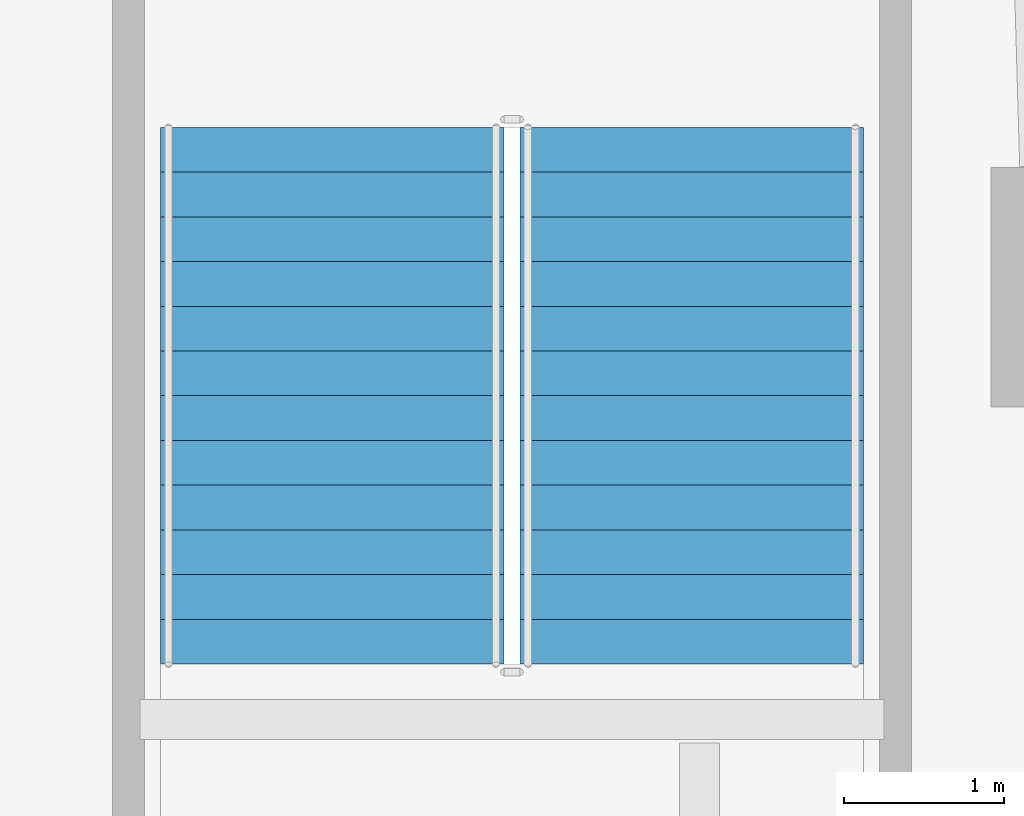
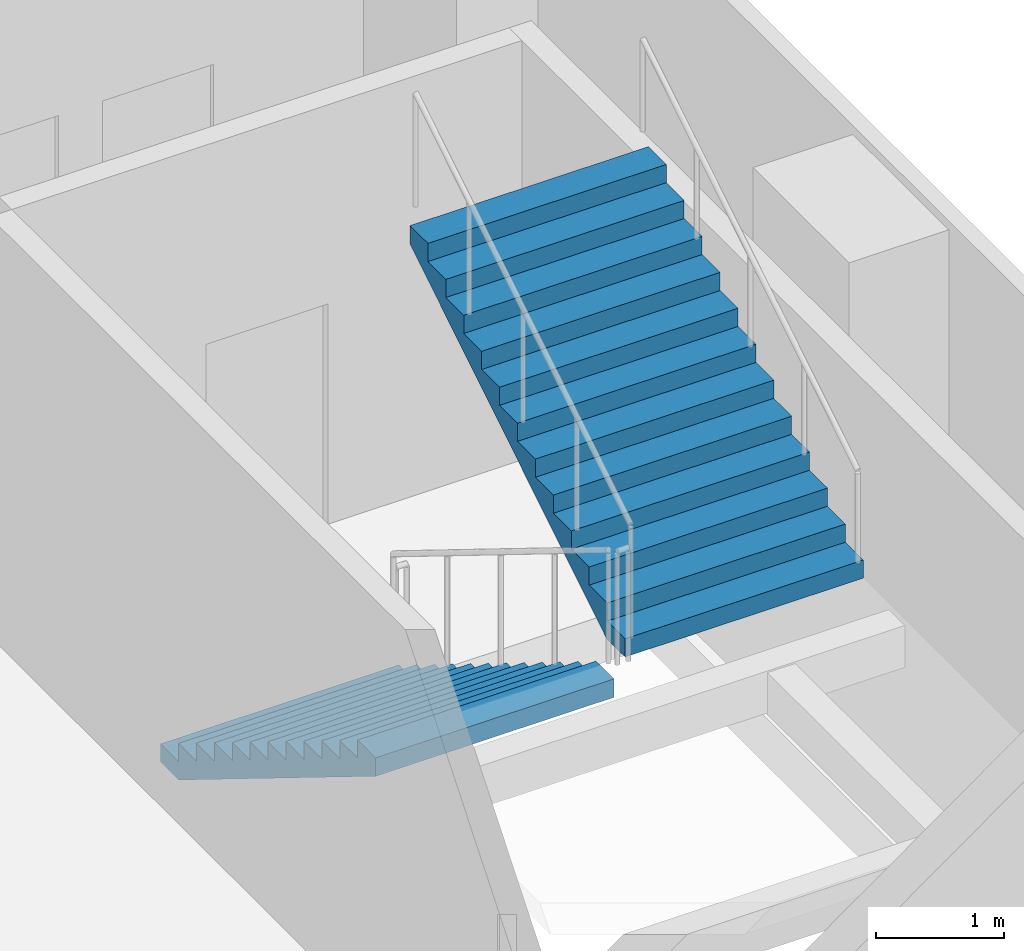
# One storey, part 12 of 20: 2 stair flights, 1 element without a shape of its own.
"""IFC4 building model written with IfcOpenShell, lengths in metres."""

from ifc_helpers import new_model, si_unit, direction, frame, origin, place, context, subcontext, project, spatial, triangles, material, type_object, element, aggregate, save


model = new_model("IFC4")

# Units and contexts
model_context = context("Model", 3, precision=1e-05, world=origin(), true_north=direction((0.0, 1.0)))
body_context = subcontext(model_context, "Body", "Model", "MODEL_VIEW")
ifc_project = project(units=[si_unit("LENGTHUNIT", "METRE"), si_unit("AREAUNIT", "SQUARE_METRE"), si_unit("VOLUMEUNIT", "CUBIC_METRE"), si_unit("PLANEANGLEUNIT", "RADIAN"), si_unit("MASSUNIT", "GRAM", prefix="KILO")], contexts=[model_context])

# Site, building, storey
site_placement = place(None, origin())
site = spatial("IfcSite", under=ifc_project, at=site_placement, CompositionType="ELEMENT")
building_placement = place(site_placement, origin())
building = spatial("IfcBuilding", under=site, at=building_placement, Name="Verdalira Terraces Hotel", CompositionType="ELEMENT")
storey_placement = place(building_placement, frame((0.0, 0.0, 23.5)))
storey = spatial("IfcBuildingStorey", under=building, at=storey_placement, Name="L04", CompositionType="ELEMENT", Elevation=23.5)

# Stair, stair flights
ifc_material_1 = material(Name="Concrete C40", Category="concrete")
stair_type = type_object("IfcStairType", Name="Podium stair 26 risers", PredefinedType="HALF_TURN_STAIR", material=ifc_material_1)
stair_placement = place(storey_placement, origin())
stair = element("IfcStair", 1, at=stair_placement, inside=storey, type_object=stair_type, Name="L04 Exit stair PS4", PredefinedType="HALF_TURN_STAIR")
ifc_material_2 = material(Name="Concrete C40", Category="concrete")
stair_flight_type = type_object("IfcStairFlightType", Name="Podium stair flight 26 risers", PredefinedType="STRAIGHT", material=ifc_material_2)
stair_flight_1_placement = place(storey_placement, frame((19.033447, 1.0, 0.0), z_axis=(0.0, 0.0, 1.0), x_axis=(0.0, -1.0, 0.0)))
stair_flight_1 = element("IfcStairFlight", 2, at=stair_flight_1_placement, type_object=stair_flight_type, Name="PS4 flight 1", NumberOfRisers=13, NumberOfTreads=12, PredefinedType="STRAIGHT", RiserHeight=0.173076923, TreadLength=0.28, context=body_context, shape_type="Tessellation", body=[
    triangles([(0.0, 1.074951, 0.0), (0.285156, 1.074951, 0.0), (3.360107, 1.074951, 1.900635), (0.0, -1.074951, 0.0), (0.285156, -1.074951, 0.0), (3.360107, -1.074951, 1.900635), (3.360107, 1.074951, 2.076904), (3.080078, 1.074951, 2.076904), (3.360107, -1.074951, 2.076904), (3.080078, -1.074951, 2.076904), (3.080078, 1.074951, 1.903809), (3.080078, -1.074951, 1.903809), (2.800049, 1.074951, 1.903809), (2.800049, -1.074951, 1.903809), (2.800049, 1.074951, 1.730713), (2.800049, -1.074951, 1.730713), (2.52002, 1.074951, 1.730713), (2.52002, 1.074951, 1.557617), (2.52002, -1.074951, 1.730713), (2.52002, -1.074951, 1.557617), (2.23999, 1.074951, 1.557617), (2.23999, 1.074951, 1.384521), (2.23999, -1.074951, 1.557617), (2.23999, -1.074951, 1.384521), (1.959961, 1.074951, 1.384521), (1.959961, 1.074951, 1.211426), (1.959961, -1.074951, 1.384521), (1.959961, -1.074951, 1.211426), (1.679932, 1.074951, 1.211426), (1.679932, 1.074951, 1.038574), (1.679932, -1.074951, 1.211426), (1.679932, -1.074951, 1.038574), (1.399902, 1.074951, 1.038574), (1.399902, 1.074951, 0.865479), (1.399902, -1.074951, 1.038574), (1.399902, -1.074951, 0.865479), (1.120117, 1.074951, 0.865479), (1.120117, 1.074951, 0.692383), (1.120117, -1.074951, 0.865479), (1.120117, -1.074951, 0.692383), (0.840088, 1.074951, 0.692383), (0.840088, 1.074951, 0.519287), (0.840088, -1.074951, 0.692383), (0.840088, -1.074951, 0.519287), (0.560059, 1.074951, 0.519287), (0.560059, 1.074951, 0.346191), (0.560059, -1.074951, 0.519287), (0.560059, -1.074951, 0.346191), (0.280029, 1.074951, 0.346191), (0.280029, 1.074951, 0.173096), (0.280029, -1.074951, 0.346191), (0.280029, -1.074951, 0.173096), (0.0, 1.074951, 0.173096), (0.0, -1.074951, 0.173096), (0.0, -1.007767, 0.0), (0.0, -1.007767, 0.173096), (0.0, -0.940582, 0.0), (0.0, -0.940582, 0.173096), (0.0, -0.873398, 0.0), (0.0, -0.873398, 0.173096), (0.0, -0.806213, 0.0), (0.0, -0.806213, 0.173096), (0.0, -0.739029, 0.0), (0.0, -0.739029, 0.173096), (0.0, -0.671844, 0.0), (0.0, -0.671844, 0.173096), (0.0, -0.60466, 0.0), (0.0, -0.60466, 0.173096), (0.0, -0.537476, 0.0), (0.0, -0.537476, 0.173096), (0.0, -0.470291, 0.0), (0.0, -0.470291, 0.173096), (0.0, -0.403107, 0.0), (0.0, -0.403107, 0.173096), (0.0, -0.335922, 0.0), (0.0, -0.335922, 0.173096), (0.0, -0.268738, 0.0), (0.0, -0.268738, 0.173096), (0.0, -0.201553, 0.0), (0.0, -0.201553, 0.173096), (0.0, -0.134369, 0.0), (0.0, -0.134369, 0.173096), (0.0, -0.067184, 0.0), (0.0, -0.067184, 0.173096), (0.0, 0.0, 0.0), (0.0, 0.0, 0.173096), (0.0, 0.067184, 0.0), (0.0, 0.067184, 0.173096), (0.0, 0.134369, 0.0), (0.0, 0.134369, 0.173096), (0.0, 0.201553, 0.0), (0.0, 0.201553, 0.173096), (0.0, 0.268738, 0.0), (0.0, 0.268738, 0.173096), (0.0, 0.335922, 0.0), (0.0, 0.335922, 0.173096), (0.0, 0.403107, 0.0), (0.0, 0.403107, 0.173096), (0.0, 0.470291, 0.0), (0.0, 0.470291, 0.173096), (0.0, 0.537476, 0.0), (0.0, 0.537476, 0.173096), (0.0, 0.60466, 0.0), (0.0, 0.60466, 0.173096), (0.0, 0.671844, 0.0), (0.0, 0.671844, 0.173096), (0.0, 0.739029, 0.0), (0.0, 0.739029, 0.173096), (0.0, 0.806213, 0.0), (0.0, 0.806213, 0.173096), (0.0, 0.873398, 0.0), (0.0, 0.873398, 0.173096), (0.0, 0.940582, 0.0), (0.0, 0.940582, 0.173096), (0.0, 1.007767, 0.0), (0.0, 1.007767, 0.173096), (3.360107, -1.007767, 2.076904), (3.360107, -0.940582, 2.076904), (3.360107, -0.873398, 2.076904), (3.360107, -0.806213, 2.076904), (3.360107, -0.739029, 2.076904), (3.360107, -0.671844, 2.076904), (3.360107, -0.60466, 2.076904), (3.360107, -0.537476, 2.076904), (3.360107, -0.470291, 2.076904), (3.360107, -0.403107, 2.076904), (3.360107, -0.335922, 2.076904), (3.360107, -0.268738, 2.076904), (3.360107, -0.201553, 2.076904), (3.360107, -0.134369, 2.076904), (3.360107, -0.067184, 2.076904), (3.360107, 0.0, 2.076904), (3.360107, 0.067184, 2.076904), (3.360107, 0.134369, 2.076904), (3.360107, 0.201553, 2.076904), (3.360107, 0.268738, 2.076904), (3.360107, 0.335922, 2.076904), (3.360107, 0.403107, 2.076904), (3.360107, 0.470291, 2.076904), (3.360107, 0.537476, 2.076904), (3.360107, 0.60466, 2.076904), (3.360107, 0.671844, 2.076904), (3.360107, 0.739029, 2.076904), (3.360107, 0.806213, 2.076904), (3.360107, 0.873398, 2.076904), (3.360107, 0.940582, 2.076904), (3.360107, 1.007767, 2.076904), (3.360107, -1.007767, 1.900635), (3.360107, -0.940582, 1.900635), (3.360107, -0.873398, 1.900635), (3.360107, -0.806213, 1.900635), (3.360107, -0.739029, 1.900635), (3.360107, -0.671844, 1.900635), (3.360107, -0.60466, 1.900635), (3.360107, -0.537476, 1.900635), (3.360107, -0.470291, 1.900635), (3.360107, -0.403107, 1.900635), (3.360107, -0.335922, 1.900635), (3.360107, -0.268738, 1.900635), (3.360107, -0.201553, 1.900635), (3.360107, -0.134369, 1.900635), (3.360107, -0.067184, 1.900635), (3.360107, 0.0, 1.900635), (3.360107, 0.067184, 1.900635), (3.360107, 0.134369, 1.900635), (3.360107, 0.201553, 1.900635), (3.360107, 0.268738, 1.900635), (3.360107, 0.335922, 1.900635), (3.360107, 0.403107, 1.900635), (3.360107, 0.470291, 1.900635), (3.360107, 0.537476, 1.900635), (3.360107, 0.60466, 1.900635), (3.360107, 0.671844, 1.900635), (3.360107, 0.739029, 1.900635), (3.360107, 0.806213, 1.900635), (3.360107, 0.873398, 1.900635), (3.360107, 0.940582, 1.900635), (3.360107, 1.007767, 1.900635)], [[1, 3, 2], [4, 5, 6], [3, 8, 7], [6, 9, 10], [3, 11, 8], [6, 10, 12], [3, 13, 11], [6, 12, 14], [3, 15, 13], [6, 14, 16], [15, 18, 17], [16, 19, 20], [3, 18, 15], [6, 16, 20], [18, 22, 21], [20, 23, 24], [3, 22, 18], [6, 20, 24], [22, 26, 25], [24, 27, 28], [3, 26, 22], [6, 24, 28], [1, 26, 3], [4, 6, 28], [26, 30, 29], [28, 31, 32], [30, 34, 33], [32, 35, 36], [26, 34, 30], [28, 32, 36], [34, 38, 37], [36, 39, 40], [26, 38, 34], [28, 36, 40], [38, 42, 41], [40, 43, 44], [26, 42, 38], [28, 40, 44], [42, 46, 45], [44, 47, 48], [26, 46, 42], [28, 44, 48], [46, 50, 49], [48, 51, 52], [26, 50, 46], [28, 48, 52], [1, 50, 26], [4, 28, 52], [50, 1, 53], [52, 54, 4], [4, 56, 55], [4, 54, 56], [55, 58, 57], [55, 56, 58], [57, 60, 59], [57, 58, 60], [59, 62, 61], [59, 60, 62], [61, 64, 63], [61, 62, 64], [63, 66, 65], [63, 64, 66], [65, 68, 67], [65, 66, 68], [67, 70, 69], [67, 68, 70], [69, 72, 71], [69, 70, 72], [71, 74, 73], [71, 72, 74], [73, 76, 75], [73, 74, 76], [75, 78, 77], [75, 76, 78], [77, 80, 79], [77, 78, 80], [79, 82, 81], [79, 80, 82], [81, 84, 83], [81, 82, 84], [83, 86, 85], [83, 84, 86], [85, 88, 87], [85, 86, 88], [87, 90, 89], [87, 88, 90], [89, 92, 91], [89, 90, 92], [91, 94, 93], [91, 92, 94], [93, 96, 95], [93, 94, 96], [95, 98, 97], [95, 96, 98], [97, 100, 99], [97, 98, 100], [99, 102, 101], [99, 100, 102], [101, 104, 103], [101, 102, 104], [103, 106, 105], [103, 104, 106], [105, 108, 107], [105, 106, 108], [107, 110, 109], [107, 108, 110], [109, 112, 111], [109, 110, 112], [111, 114, 113], [111, 112, 114], [113, 116, 115], [113, 114, 116], [115, 53, 1], [115, 116, 53], [54, 52, 56], [56, 52, 58], [58, 52, 60], [60, 52, 62], [62, 52, 64], [64, 52, 66], [66, 52, 68], [68, 52, 70], [70, 52, 72], [72, 52, 74], [74, 52, 76], [76, 52, 78], [78, 52, 80], [80, 52, 82], [82, 52, 84], [84, 52, 86], [86, 52, 88], [88, 52, 90], [90, 52, 92], [92, 52, 94], [94, 52, 96], [96, 52, 98], [98, 52, 100], [100, 52, 102], [102, 52, 104], [104, 52, 106], [106, 52, 108], [108, 52, 110], [110, 52, 112], [112, 52, 114], [114, 52, 116], [116, 52, 53], [53, 52, 50], [52, 49, 50], [52, 51, 49], [51, 46, 49], [51, 48, 46], [48, 45, 46], [48, 47, 45], [47, 42, 45], [47, 44, 42], [44, 41, 42], [44, 43, 41], [43, 38, 41], [43, 40, 38], [40, 37, 38], [40, 39, 37], [39, 34, 37], [39, 36, 34], [36, 33, 34], [36, 35, 33], [35, 30, 33], [35, 32, 30], [32, 29, 30], [32, 31, 29], [31, 26, 29], [31, 28, 26], [28, 25, 26], [28, 27, 25], [27, 22, 25], [27, 24, 22], [24, 21, 22], [24, 23, 21], [23, 18, 21], [23, 20, 18], [20, 17, 18], [20, 19, 17], [19, 15, 17], [19, 16, 15], [16, 13, 15], [16, 14, 13], [14, 11, 13], [14, 12, 11], [12, 8, 11], [12, 10, 8], [9, 117, 10], [117, 118, 10], [118, 119, 10], [119, 120, 10], [120, 121, 10], [121, 122, 10], [122, 123, 10], [123, 124, 10], [124, 125, 10], [125, 126, 10], [126, 127, 10], [127, 128, 10], [128, 129, 10], [129, 130, 10], [130, 131, 10], [131, 132, 10], [132, 133, 10], [133, 134, 10], [134, 135, 10], [135, 136, 10], [136, 137, 10], [137, 138, 10], [138, 139, 10], [139, 140, 10], [140, 141, 10], [141, 142, 10], [142, 143, 10], [143, 144, 10], [144, 145, 10], [145, 146, 10], [146, 147, 10], [147, 7, 10], [7, 8, 10], [9, 148, 117], [9, 6, 148], [117, 149, 118], [117, 148, 149], [118, 150, 119], [118, 149, 150], [119, 151, 120], [119, 150, 151], [120, 152, 121], [120, 151, 152], [121, 153, 122], [121, 152, 153], [122, 154, 123], [122, 153, 154], [123, 155, 124], [123, 154, 155], [124, 156, 125], [124, 155, 156], [125, 157, 126], [125, 156, 157], [126, 158, 127], [126, 157, 158], [127, 159, 128], [127, 158, 159], [128, 160, 129], [128, 159, 160], [129, 161, 130], [129, 160, 161], [130, 162, 131], [130, 161, 162], [131, 163, 132], [131, 162, 163], [132, 164, 133], [132, 163, 164], [133, 165, 134], [133, 164, 165], [134, 166, 135], [134, 165, 166], [135, 167, 136], [135, 166, 167], [136, 168, 137], [136, 167, 168], [137, 169, 138], [137, 168, 169], [138, 170, 139], [138, 169, 170], [139, 171, 140], [139, 170, 171], [140, 172, 141], [140, 171, 172], [141, 173, 142], [141, 172, 173], [142, 174, 143], [142, 173, 174], [143, 175, 144], [143, 174, 175], [144, 176, 145], [144, 175, 176], [145, 177, 146], [145, 176, 177], [146, 178, 147], [146, 177, 178], [147, 3, 7], [147, 178, 3], [6, 5, 148], [148, 5, 149], [149, 5, 150], [150, 5, 151], [151, 5, 152], [152, 5, 153], [153, 5, 154], [154, 5, 155], [155, 5, 156], [156, 5, 157], [157, 5, 158], [158, 5, 159], [159, 5, 160], [160, 5, 161], [161, 5, 162], [162, 5, 163], [163, 5, 164], [164, 5, 165], [165, 5, 166], [166, 5, 167], [167, 5, 168], [168, 5, 169], [169, 5, 170], [170, 5, 171], [171, 5, 172], [172, 5, 173], [173, 5, 174], [174, 5, 175], [175, 5, 176], [176, 5, 177], [177, 5, 178], [178, 5, 3], [3, 5, 2], [4, 55, 5], [55, 57, 5], [57, 59, 5], [59, 61, 5], [61, 63, 5], [63, 65, 5], [65, 67, 5], [67, 69, 5], [69, 71, 5], [71, 73, 5], [73, 75, 5], [75, 77, 5], [77, 79, 5], [79, 81, 5], [81, 83, 5], [83, 85, 5], [85, 87, 5], [87, 89, 5], [89, 91, 5], [91, 93, 5], [93, 95, 5], [95, 97, 5], [97, 99, 5], [99, 101, 5], [101, 103, 5], [103, 105, 5], [105, 107, 5], [107, 109, 5], [109, 111, 5], [111, 113, 5], [113, 115, 5], [115, 1, 5], [1, 2, 5]], closed=True),
])
stair_flight_2_placement = place(storey_placement, frame((21.283447, -2.360107, 2.25), z_axis=(0.0, 0.0, 1.0), x_axis=(0.0, 1.0, 0.0)))
stair_flight_2 = element("IfcStairFlight", 3, at=stair_flight_2_placement, type_object=stair_flight_type, Name="PS4 flight 2", NumberOfRisers=13, NumberOfTreads=12, PredefinedType="STRAIGHT", RiserHeight=0.173076923, TreadLength=0.28, context=body_context, shape_type="Tessellation", body=[
    triangles([(0.0, 1.074951, 0.0), (0.285156, 1.074951, 0.0), (3.360107, 1.074951, 1.900635), (0.0, -1.074951, 0.0), (0.285156, -1.074951, 0.0), (3.360107, -1.074951, 1.900635), (3.360107, 1.074951, 2.076904), (3.080078, 1.074951, 2.076904), (3.360107, -1.074951, 2.076904), (3.080078, -1.074951, 2.076904), (3.080078, 1.074951, 1.903809), (3.080078, -1.074951, 1.903809), (2.800049, 1.074951, 1.903809), (2.800049, -1.074951, 1.903809), (2.800049, 1.074951, 1.730713), (2.800049, -1.074951, 1.730713), (2.52002, 1.074951, 1.730713), (2.52002, 1.074951, 1.557617), (2.52002, -1.074951, 1.730713), (2.52002, -1.074951, 1.557617), (2.23999, 1.074951, 1.557617), (2.23999, 1.074951, 1.384521), (2.23999, -1.074951, 1.557617), (2.23999, -1.074951, 1.384521), (1.959961, 1.074951, 1.384521), (1.959961, 1.074951, 1.211426), (1.959961, -1.074951, 1.384521), (1.959961, -1.074951, 1.211426), (1.679932, 1.074951, 1.211426), (1.679932, 1.074951, 1.038574), (1.679932, -1.074951, 1.211426), (1.679932, -1.074951, 1.038574), (1.399902, 1.074951, 1.038574), (1.399902, 1.074951, 0.865479), (1.399902, -1.074951, 1.038574), (1.399902, -1.074951, 0.865479), (1.120117, 1.074951, 0.865479), (1.120117, 1.074951, 0.692383), (1.120117, -1.074951, 0.865479), (1.120117, -1.074951, 0.692383), (0.840088, 1.074951, 0.692383), (0.840088, 1.074951, 0.519287), (0.840088, -1.074951, 0.692383), (0.840088, -1.074951, 0.519287), (0.560059, 1.074951, 0.519287), (0.560059, 1.074951, 0.346191), (0.560059, -1.074951, 0.519287), (0.560059, -1.074951, 0.346191), (0.280029, 1.074951, 0.346191), (0.280029, 1.074951, 0.173096), (0.280029, -1.074951, 0.346191), (0.280029, -1.074951, 0.173096), (0.0, 1.074951, 0.173096), (0.0, -1.074951, 0.173096), (0.0, -1.007767, 0.0), (0.0, -1.007767, 0.173096), (0.0, -0.940582, 0.0), (0.0, -0.940582, 0.173096), (0.0, -0.873398, 0.0), (0.0, -0.873398, 0.173096), (0.0, -0.806213, 0.0), (0.0, -0.806213, 0.173096), (0.0, -0.739029, 0.0), (0.0, -0.739029, 0.173096), (0.0, -0.671844, 0.0), (0.0, -0.671844, 0.173096), (0.0, -0.60466, 0.0), (0.0, -0.60466, 0.173096), (0.0, -0.537476, 0.0), (0.0, -0.537476, 0.173096), (0.0, -0.470291, 0.0), (0.0, -0.470291, 0.173096), (0.0, -0.403107, 0.0), (0.0, -0.403107, 0.173096), (0.0, -0.335922, 0.0), (0.0, -0.335922, 0.173096), (0.0, -0.268738, 0.0), (0.0, -0.268738, 0.173096), (0.0, -0.201553, 0.0), (0.0, -0.201553, 0.173096), (0.0, -0.134369, 0.0), (0.0, -0.134369, 0.173096), (0.0, -0.067184, 0.0), (0.0, -0.067184, 0.173096), (0.0, 0.0, 0.0), (0.0, 0.0, 0.173096), (0.0, 0.067184, 0.0), (0.0, 0.067184, 0.173096), (0.0, 0.134369, 0.0), (0.0, 0.134369, 0.173096), (0.0, 0.201553, 0.0), (0.0, 0.201553, 0.173096), (0.0, 0.268738, 0.0), (0.0, 0.268738, 0.173096), (0.0, 0.335922, 0.0), (0.0, 0.335922, 0.173096), (0.0, 0.403107, 0.0), (0.0, 0.403107, 0.173096), (0.0, 0.470291, 0.0), (0.0, 0.470291, 0.173096), (0.0, 0.537476, 0.0), (0.0, 0.537476, 0.173096), (0.0, 0.60466, 0.0), (0.0, 0.60466, 0.173096), (0.0, 0.671844, 0.0), (0.0, 0.671844, 0.173096), (0.0, 0.739029, 0.0), (0.0, 0.739029, 0.173096), (0.0, 0.806213, 0.0), (0.0, 0.806213, 0.173096), (0.0, 0.873398, 0.0), (0.0, 0.873398, 0.173096), (0.0, 0.940582, 0.0), (0.0, 0.940582, 0.173096), (0.0, 1.007767, 0.0), (0.0, 1.007767, 0.173096), (3.360107, -1.007767, 2.076904), (3.360107, -0.940582, 2.076904), (3.360107, -0.873398, 2.076904), (3.360107, -0.806213, 2.076904), (3.360107, -0.739029, 2.076904), (3.360107, -0.671844, 2.076904), (3.360107, -0.60466, 2.076904), (3.360107, -0.537476, 2.076904), (3.360107, -0.470291, 2.076904), (3.360107, -0.403107, 2.076904), (3.360107, -0.335922, 2.076904), (3.360107, -0.268738, 2.076904), (3.360107, -0.201553, 2.076904), (3.360107, -0.134369, 2.076904), (3.360107, -0.067184, 2.076904), (3.360107, 0.0, 2.076904), (3.360107, 0.067184, 2.076904), (3.360107, 0.134369, 2.076904), (3.360107, 0.201553, 2.076904), (3.360107, 0.268738, 2.076904), (3.360107, 0.335922, 2.076904), (3.360107, 0.403107, 2.076904), (3.360107, 0.470291, 2.076904), (3.360107, 0.537476, 2.076904), (3.360107, 0.60466, 2.076904), (3.360107, 0.671844, 2.076904), (3.360107, 0.739029, 2.076904), (3.360107, 0.806213, 2.076904), (3.360107, 0.873398, 2.076904), (3.360107, 0.940582, 2.076904), (3.360107, 1.007767, 2.076904), (3.360107, -1.007767, 1.900635), (3.360107, -0.940582, 1.900635), (3.360107, -0.873398, 1.900635), (3.360107, -0.806213, 1.900635), (3.360107, -0.739029, 1.900635), (3.360107, -0.671844, 1.900635), (3.360107, -0.60466, 1.900635), (3.360107, -0.537476, 1.900635), (3.360107, -0.470291, 1.900635), (3.360107, -0.403107, 1.900635), (3.360107, -0.335922, 1.900635), (3.360107, -0.268738, 1.900635), (3.360107, -0.201553, 1.900635), (3.360107, -0.134369, 1.900635), (3.360107, -0.067184, 1.900635), (3.360107, 0.0, 1.900635), (3.360107, 0.067184, 1.900635), (3.360107, 0.134369, 1.900635), (3.360107, 0.201553, 1.900635), (3.360107, 0.268738, 1.900635), (3.360107, 0.335922, 1.900635), (3.360107, 0.403107, 1.900635), (3.360107, 0.470291, 1.900635), (3.360107, 0.537476, 1.900635), (3.360107, 0.60466, 1.900635), (3.360107, 0.671844, 1.900635), (3.360107, 0.739029, 1.900635), (3.360107, 0.806213, 1.900635), (3.360107, 0.873398, 1.900635), (3.360107, 0.940582, 1.900635), (3.360107, 1.007767, 1.900635)], [[1, 3, 2], [4, 5, 6], [3, 8, 7], [6, 9, 10], [3, 11, 8], [6, 10, 12], [3, 13, 11], [6, 12, 14], [3, 15, 13], [6, 14, 16], [15, 18, 17], [16, 19, 20], [3, 18, 15], [6, 16, 20], [18, 22, 21], [20, 23, 24], [3, 22, 18], [6, 20, 24], [22, 26, 25], [24, 27, 28], [3, 26, 22], [6, 24, 28], [1, 26, 3], [4, 6, 28], [26, 30, 29], [28, 31, 32], [30, 34, 33], [32, 35, 36], [26, 34, 30], [28, 32, 36], [34, 38, 37], [36, 39, 40], [26, 38, 34], [28, 36, 40], [38, 42, 41], [40, 43, 44], [26, 42, 38], [28, 40, 44], [42, 46, 45], [44, 47, 48], [26, 46, 42], [28, 44, 48], [46, 50, 49], [48, 51, 52], [26, 50, 46], [28, 48, 52], [1, 50, 26], [4, 28, 52], [50, 1, 53], [52, 54, 4], [4, 56, 55], [4, 54, 56], [55, 58, 57], [55, 56, 58], [57, 60, 59], [57, 58, 60], [59, 62, 61], [59, 60, 62], [61, 64, 63], [61, 62, 64], [63, 66, 65], [63, 64, 66], [65, 68, 67], [65, 66, 68], [67, 70, 69], [67, 68, 70], [69, 72, 71], [69, 70, 72], [71, 74, 73], [71, 72, 74], [73, 76, 75], [73, 74, 76], [75, 78, 77], [75, 76, 78], [77, 80, 79], [77, 78, 80], [79, 82, 81], [79, 80, 82], [81, 84, 83], [81, 82, 84], [83, 86, 85], [83, 84, 86], [85, 88, 87], [85, 86, 88], [87, 90, 89], [87, 88, 90], [89, 92, 91], [89, 90, 92], [91, 94, 93], [91, 92, 94], [93, 96, 95], [93, 94, 96], [95, 98, 97], [95, 96, 98], [97, 100, 99], [97, 98, 100], [99, 102, 101], [99, 100, 102], [101, 104, 103], [101, 102, 104], [103, 106, 105], [103, 104, 106], [105, 108, 107], [105, 106, 108], [107, 110, 109], [107, 108, 110], [109, 112, 111], [109, 110, 112], [111, 114, 113], [111, 112, 114], [113, 116, 115], [113, 114, 116], [115, 53, 1], [115, 116, 53], [54, 52, 56], [56, 52, 58], [58, 52, 60], [60, 52, 62], [62, 52, 64], [64, 52, 66], [66, 52, 68], [68, 52, 70], [70, 52, 72], [72, 52, 74], [74, 52, 76], [76, 52, 78], [78, 52, 80], [80, 52, 82], [82, 52, 84], [84, 52, 86], [86, 52, 88], [88, 52, 90], [90, 52, 92], [92, 52, 94], [94, 52, 96], [96, 52, 98], [98, 52, 100], [100, 52, 102], [102, 52, 104], [104, 52, 106], [106, 52, 108], [108, 52, 110], [110, 52, 112], [112, 52, 114], [114, 52, 116], [116, 52, 53], [53, 52, 50], [52, 49, 50], [52, 51, 49], [51, 46, 49], [51, 48, 46], [48, 45, 46], [48, 47, 45], [47, 42, 45], [47, 44, 42], [44, 41, 42], [44, 43, 41], [43, 38, 41], [43, 40, 38], [40, 37, 38], [40, 39, 37], [39, 34, 37], [39, 36, 34], [36, 33, 34], [36, 35, 33], [35, 30, 33], [35, 32, 30], [32, 29, 30], [32, 31, 29], [31, 26, 29], [31, 28, 26], [28, 25, 26], [28, 27, 25], [27, 22, 25], [27, 24, 22], [24, 21, 22], [24, 23, 21], [23, 18, 21], [23, 20, 18], [20, 17, 18], [20, 19, 17], [19, 15, 17], [19, 16, 15], [16, 13, 15], [16, 14, 13], [14, 11, 13], [14, 12, 11], [12, 8, 11], [12, 10, 8], [9, 117, 10], [117, 118, 10], [118, 119, 10], [119, 120, 10], [120, 121, 10], [121, 122, 10], [122, 123, 10], [123, 124, 10], [124, 125, 10], [125, 126, 10], [126, 127, 10], [127, 128, 10], [128, 129, 10], [129, 130, 10], [130, 131, 10], [131, 132, 10], [132, 133, 10], [133, 134, 10], [134, 135, 10], [135, 136, 10], [136, 137, 10], [137, 138, 10], [138, 139, 10], [139, 140, 10], [140, 141, 10], [141, 142, 10], [142, 143, 10], [143, 144, 10], [144, 145, 10], [145, 146, 10], [146, 147, 10], [147, 7, 10], [7, 8, 10], [9, 148, 117], [9, 6, 148], [117, 149, 118], [117, 148, 149], [118, 150, 119], [118, 149, 150], [119, 151, 120], [119, 150, 151], [120, 152, 121], [120, 151, 152], [121, 153, 122], [121, 152, 153], [122, 154, 123], [122, 153, 154], [123, 155, 124], [123, 154, 155], [124, 156, 125], [124, 155, 156], [125, 157, 126], [125, 156, 157], [126, 158, 127], [126, 157, 158], [127, 159, 128], [127, 158, 159], [128, 160, 129], [128, 159, 160], [129, 161, 130], [129, 160, 161], [130, 162, 131], [130, 161, 162], [131, 163, 132], [131, 162, 163], [132, 164, 133], [132, 163, 164], [133, 165, 134], [133, 164, 165], [134, 166, 135], [134, 165, 166], [135, 167, 136], [135, 166, 167], [136, 168, 137], [136, 167, 168], [137, 169, 138], [137, 168, 169], [138, 170, 139], [138, 169, 170], [139, 171, 140], [139, 170, 171], [140, 172, 141], [140, 171, 172], [141, 173, 142], [141, 172, 173], [142, 174, 143], [142, 173, 174], [143, 175, 144], [143, 174, 175], [144, 176, 145], [144, 175, 176], [145, 177, 146], [145, 176, 177], [146, 178, 147], [146, 177, 178], [147, 3, 7], [147, 178, 3], [6, 5, 148], [148, 5, 149], [149, 5, 150], [150, 5, 151], [151, 5, 152], [152, 5, 153], [153, 5, 154], [154, 5, 155], [155, 5, 156], [156, 5, 157], [157, 5, 158], [158, 5, 159], [159, 5, 160], [160, 5, 161], [161, 5, 162], [162, 5, 163], [163, 5, 164], [164, 5, 165], [165, 5, 166], [166, 5, 167], [167, 5, 168], [168, 5, 169], [169, 5, 170], [170, 5, 171], [171, 5, 172], [172, 5, 173], [173, 5, 174], [174, 5, 175], [175, 5, 176], [176, 5, 177], [177, 5, 178], [178, 5, 3], [3, 5, 2], [4, 55, 5], [55, 57, 5], [57, 59, 5], [59, 61, 5], [61, 63, 5], [63, 65, 5], [65, 67, 5], [67, 69, 5], [69, 71, 5], [71, 73, 5], [73, 75, 5], [75, 77, 5], [77, 79, 5], [79, 81, 5], [81, 83, 5], [83, 85, 5], [85, 87, 5], [87, 89, 5], [89, 91, 5], [91, 93, 5], [93, 95, 5], [95, 97, 5], [97, 99, 5], [99, 101, 5], [101, 103, 5], [103, 105, 5], [105, 107, 5], [107, 109, 5], [109, 111, 5], [111, 113, 5], [113, 115, 5], [115, 1, 5], [1, 2, 5]], closed=True),
])
aggregate(stair, [stair_flight_1, stair_flight_2])

save(model, "model.ifc")
